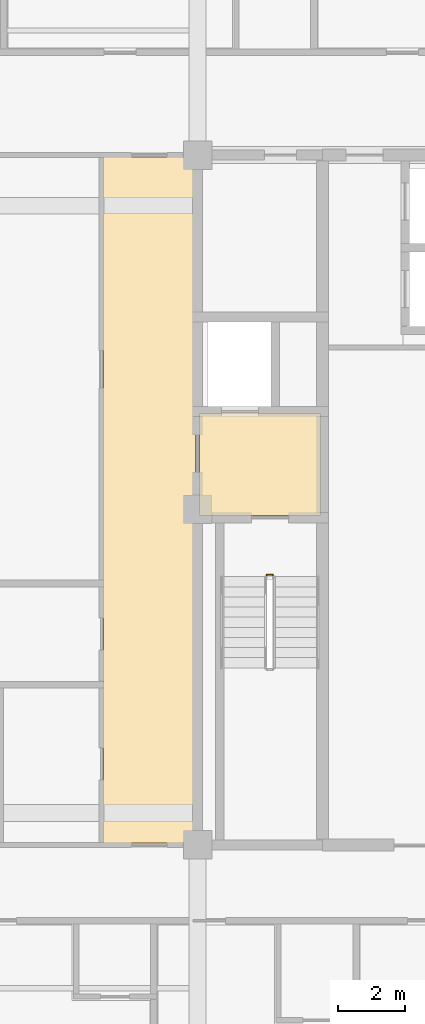
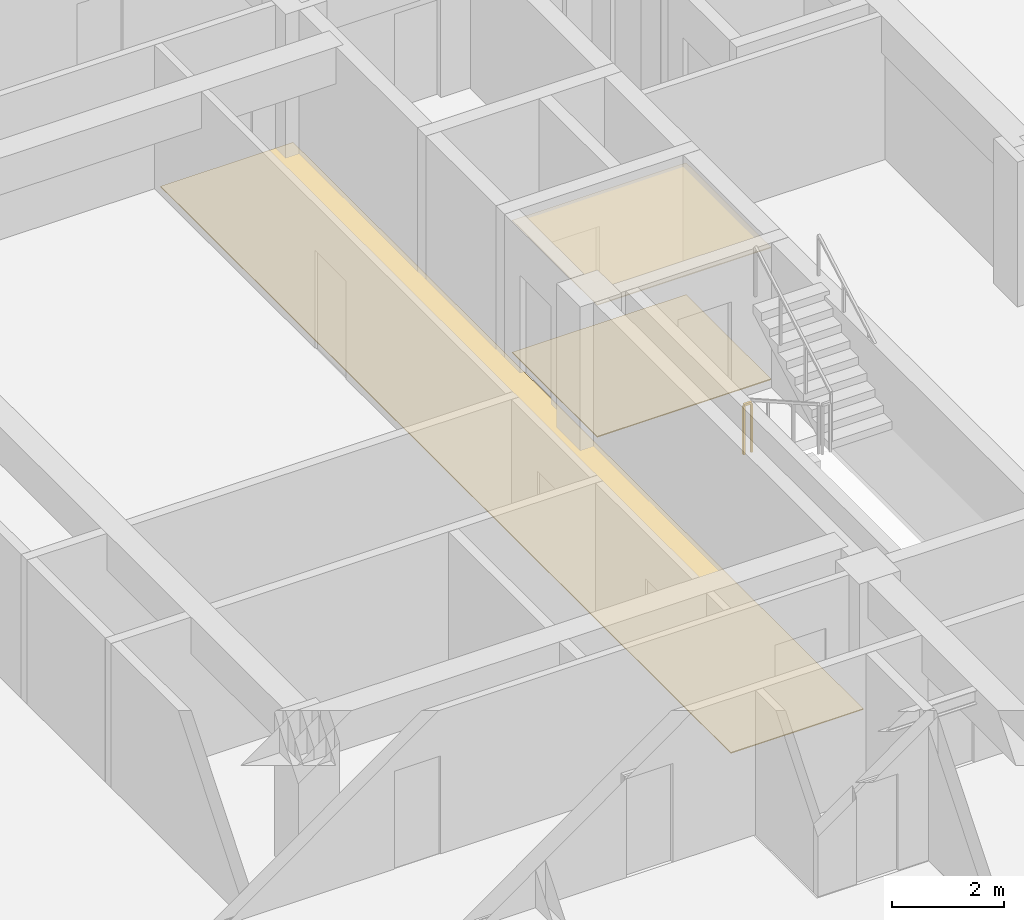
# One storey, part 13 of 14: 3 coverings, 1 railing.
"""IFC4 building model written with IfcOpenShell, lengths in metres."""

from ifc_helpers import new_model, si_unit, direction, frame, origin, origin_2d, place, context, subcontext, project, spatial, polyline, rectangle, outline, extrude, material, layer, layer_set, type_object, element, save


model = new_model("IFC4")

# Units and contexts
model_context = context("Model", 3, precision=1e-05, world=origin(), true_north=direction((0.0, 1.0)))
body_context = subcontext(model_context, "Body", "Model", "MODEL_VIEW")
ifc_project = project(units=[si_unit("LENGTHUNIT", "METRE"), si_unit("AREAUNIT", "SQUARE_METRE"), si_unit("VOLUMEUNIT", "CUBIC_METRE"), si_unit("PLANEANGLEUNIT", "RADIAN"), si_unit("MASSUNIT", "GRAM", prefix="KILO")], contexts=[model_context])

# Site, building, storey
site_placement = place(None, origin())
site = spatial("IfcSite", under=ifc_project, at=site_placement, CompositionType="ELEMENT")
building_placement = place(site_placement, origin())
building = spatial("IfcBuilding", under=site, at=building_placement, Name="Zulmaris Gate Convention Tower", CompositionType="ELEMENT")
storey_placement = place(building_placement, frame((0.0, 0.0, 179.659912109375)))
storey = spatial("IfcBuildingStorey", under=building, at=storey_placement, Name="L46", CompositionType="ELEMENT", Elevation=179.659912109375)

# Coverings
ifc_material_1 = material(Name="Mineral Fibre Acoustic Ceiling Tile")
ifc_layer_1 = layer(ifc_material_1, 0.02001953125, Name="Mineral Fibre Acoustic Ceiling Tile")
ifc_layer_set_1 = layer_set([ifc_layer_1], Name="Mineral Fibre Acoustic Ceiling Tile")
covering_type_1 = type_object("IfcCoveringType", Name="CLG-ACOUSTIC-600", PredefinedType="CEILING", material=ifc_layer_set_1)
covering_1_placement = place(storey_placement, frame((0.0, 0.0, 2.869873046875)))
element("IfcCovering", 1, at=covering_1_placement, inside=storey, type_object=covering_type_1, Name="CLG-L46-R08", PredefinedType="CEILING", context=body_context, shape_type="SweptSolid", body=[
    extrude(outline(polyline([(11.06005859375, -0.18994140625), (14.639892578125, -0.18994140625), (14.639892578125, 2.840087890625), (11.06005859375, 2.840087890625), (11.06005859375, -0.18994140625)])), origin(), (0.0, 0.0, 1.0), 0.02001953125),
])
ifc_material_2 = material(Name="Woven Acoustic Wool Carpet Tile")
ifc_layer_2 = layer(ifc_material_2, 0.02001953125, Name="Woven Acoustic Wool Carpet Tile")
ifc_layer_set_2 = layer_set([ifc_layer_2], Name="Woven Acoustic Wool Carpet Tile")
covering_type_2 = type_object("IfcCoveringType", Name="FLR-CARPET-12", PredefinedType="FLOORING", material=ifc_layer_set_2)
covering_2_placement = place(storey_placement, origin())
element("IfcCovering", 2, at=covering_2_placement, inside=storey, type_object=covering_type_2, Name="FLR-L46-R08", PredefinedType="FLOORING", context=body_context, shape_type="SweptSolid", body=[
    extrude(outline(polyline([(11.06005859375, -0.18994140625), (14.639892578125, -0.18994140625), (14.639892578125, 2.840087890625), (11.06005859375, 2.840087890625), (11.06005859375, -0.18994140625)])), origin(), (0.0, 0.0, 1.0), 0.02001953125),
])
covering_3_placement = place(storey_placement, origin())
element("IfcCovering", 3, at=covering_3_placement, inside=storey, type_object=covering_type_2, Name="FLR-L46-R28", PredefinedType="FLOORING", context=body_context, shape_type="SweptSolid", body=[
    extrude(outline(polyline([(8.2099609375, -9.889892578125), (10.93994140625, -9.889892578125), (10.93994140625, 10.43994140625), (8.2099609375, 10.43994140625), (8.2099609375, -9.889892578125)])), origin(), (0.0, 0.0, 1.0), 0.02001953125),
])

# Railing
ifc_material_3 = material(Name="Painted Galvanised Steel", Category="steel")
railing_type = type_object("IfcRailingType", Name="RL-STG-1150", PredefinedType="GUARDRAIL", material=ifc_material_3)
railing_placement = place(storey_placement, frame((13.06005859375, -1.949951171875, 0.0)))
element("IfcRailing", 4, at=railing_placement, inside=storey, type_object=railing_type, Name="L46 ST-2 stair guard 4", PredefinedType="GUARDRAIL", context=body_context, shape_type="SweptSolid", body=[
    extrude(rectangle(XDim=0.048095703125, YDim=0.048095703125, at=origin_2d()), frame((0.0, 0.0, 1.076171875), z_axis=(1.0, 0.0, 0.0), x_axis=(0.0, 1.0, 0.0)), (0.0, 0.0, 1.0), 0.159912109375),
    extrude(rectangle(XDim=0.0419921875, YDim=0.0419921875, at=origin_2d()), origin(), (0.0, 0.0, 1.0), 1.052001953125),
    extrude(rectangle(XDim=0.0419921875, YDim=0.0419921875, at=origin_2d()), frame((0.159912109375, 0.0, 0.0)), (0.0, 0.0, 1.0), 1.052001953125),
])

save(model, "model.ifc")
